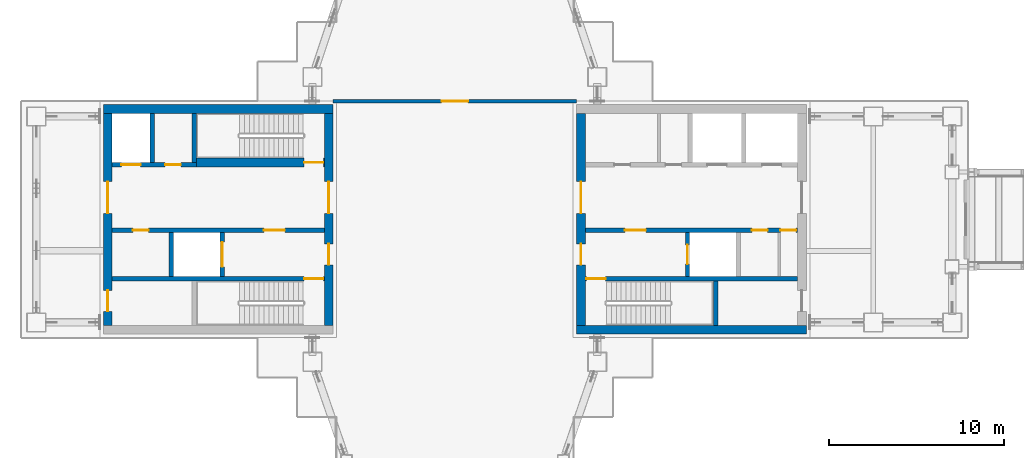
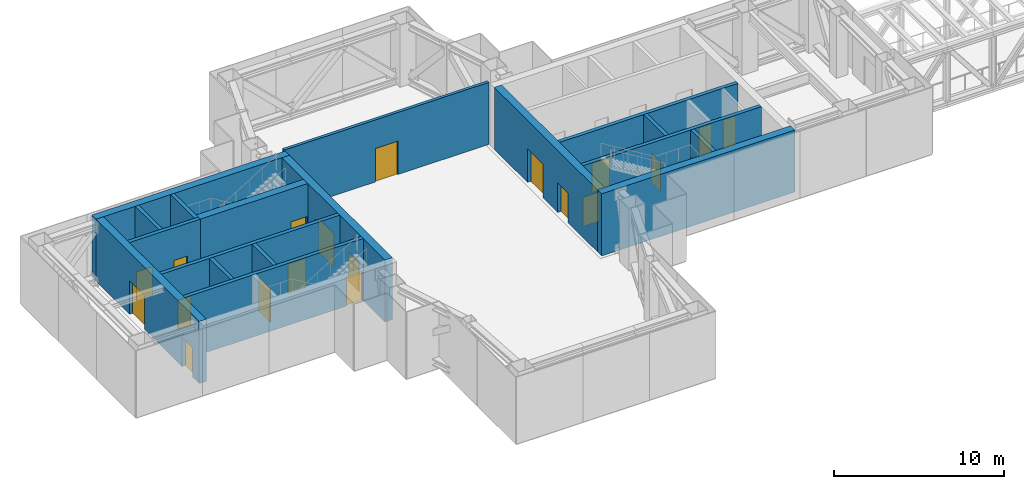
# One storey, part 10 of 21: 19 doors, 18 walls, 19 openings.
"""IFC4 building model written with IfcOpenShell, lengths in metres."""

from ifc_helpers import new_model, si_unit, direction, frame, frame_2d, origin, place, context, subcontext, project, spatial, rectangle, extrude, material, layer, layer_set, type_object, element, fill, save


model = new_model("IFC4")

# Units and contexts
model_context = context("Model", 3, precision=1e-05, world=origin(), true_north=direction((0.0, 1.0)))
body_context = subcontext(model_context, "Body", "Model", "MODEL_VIEW")
ifc_project = project(units=[si_unit("LENGTHUNIT", "METRE"), si_unit("AREAUNIT", "SQUARE_METRE"), si_unit("VOLUMEUNIT", "CUBIC_METRE"), si_unit("PLANEANGLEUNIT", "RADIAN"), si_unit("MASSUNIT", "GRAM", prefix="KILO")], contexts=[model_context])

# Site, building, storey
site_placement = place(None, origin())
site = spatial("IfcSite", under=ifc_project, at=site_placement, CompositionType="ELEMENT")
building_placement = place(site_placement, origin())
building = spatial("IfcBuilding", under=site, at=building_placement, Name="Shamsa Quay Exchange Towers", CompositionType="ELEMENT")
storey_placement = place(building_placement, frame((0.0, 0.0, 177.89990234375)))
storey = spatial("IfcBuildingStorey", under=building, at=storey_placement, Name="L42", CompositionType="ELEMENT", Elevation=177.89990234375)

# Wall
ifc_material_1 = material(Name="Concrete C60/75", Category="concrete")
ifc_layer_1 = layer(ifc_material_1, 0.5)
ifc_layer_set_1 = layer_set([ifc_layer_1], Name="CORE WALL 500 C60/75")
wall_type_1 = type_object("IfcWallType", Name="CORE WALL 500 C60/75", PredefinedType="SHEAR", material=ifc_layer_set_1)
wall_1_placement = place(storey_placement, frame((-26.800048828125, -6.300048828125, 0.0)))
element("IfcWall", 1, at=wall_1_placement, inside=storey, type_object=wall_type_1, Name="Core wall T1A-L42-PS", PredefinedType="SHEAR", context=body_context, shape_type="SweptSolid", body=[
    extrude(rectangle(XDim=13.10009765625, YDim=0.5, at=frame_2d((6.550048828125, 0.0))), origin(), (0.0, 0.0, 1.0), 4.4501953125),
])

# Wall, openings, doors
wall_2_placement = place(storey_placement, frame((-26.550048828125, 6.050048828125, 0.0), z_axis=(0.0, 0.0, 1.0), x_axis=(0.0, -1.0, 0.0)))
wall_2 = element("IfcWall", 2, at=wall_2_placement, inside=storey, type_object=wall_type_1, Name="Core wall T1A-L42-PF", PredefinedType="SHEAR", context=body_context, shape_type="SweptSolid", body=[
    extrude(rectangle(XDim=12.10009765625, YDim=0.5, at=frame_2d((6.050048828125, 0.0))), origin(), (0.0, 0.0, 1.0), 4.4501953125),
])
opening_1_placement = place(wall_2_placement, frame((7.449951171875, 0.0, 0.0)))
opening_1 = element("IfcOpeningElement", 3, at=opening_1_placement, cuts=wall_2, Name="Opening T1A-L42-FD01", PredefinedType="OPENING", context=body_context, shape_type="SweptSolid", body=[
    extrude(rectangle(XDim=1.199951171875, YDim=2.10009765625, at=frame_2d((0.60009765625, 1.050048828125))), frame((0.0, 0.260009765625, 0.0), z_axis=(0.0, -1.0, 0.0), x_axis=(1.0, 0.0, 0.0)), (0.0, 0.0, 1.0), 0.52001953125),
])
opening_2_placement = place(wall_2_placement, frame((3.89990234375, 0.0, 0.0)))
opening_2 = element("IfcOpeningElement", 4, at=opening_2_placement, cuts=wall_2, Name="Opening T1A-L42-LBD02", PredefinedType="OPENING", context=body_context, shape_type="SweptSolid", body=[
    extrude(rectangle(XDim=1.800048828125, YDim=2.39990234375, at=frame_2d((0.89990234375, 1.199951171875))), frame((0.0, 0.260009765625, 0.0), z_axis=(0.0, -1.0, 0.0), x_axis=(1.0, 0.0, 0.0)), (0.0, 0.0, 1.0), 0.52001953125),
])
ifc_material_2 = material(Name="Steel, fire rated", Category="steel")
door_type_1 = type_object("IfcDoorType", Name="FIRE SERVICE LOBBY DOOR 1200", OperationType="SINGLE_SWING_LEFT", PredefinedType="DOOR", material=ifc_material_2)
door_1_placement = place(opening_1_placement, origin())
door_1 = element("IfcDoor", 5, at=door_1_placement, inside=storey, type_object=door_type_1, Name="T1A-L42-FD01", OperationType="SINGLE_SWING_RIGHT", OverallHeight=2.10009765625, OverallWidth=1.199951171875, PredefinedType="DOOR", context=body_context, shape_type="SweptSolid", body=[
    extrude(rectangle(XDim=1.199951171875, YDim=2.10009765625, at=frame_2d((0.60009765625, 1.050048828125))), frame((0.0, 0.02490234375, 0.0), z_axis=(0.0, -1.0, 0.0), x_axis=(1.0, 0.0, 0.0)), (0.0, 0.0, 1.0), 0.050048828125),
])
fill(opening_1, door_1)
door_type_2 = type_object("IfcDoorType", Name="LIFT LOBBY DOOR PAIR 1800", OperationType="DOUBLE_DOOR_SINGLE_SWING", PredefinedType="DOOR", material=ifc_material_2)
door_2_placement = place(opening_2_placement, origin())
door_2 = element("IfcDoor", 6, at=door_2_placement, inside=storey, type_object=door_type_2, Name="T1A-L42-LBD02", OperationType="DOUBLE_DOOR_SINGLE_SWING", OverallHeight=2.39990234375, OverallWidth=1.800048828125, PredefinedType="DOOR", context=body_context, shape_type="SweptSolid", body=[
    extrude(rectangle(XDim=1.800048828125, YDim=2.39990234375, at=frame_2d((0.89990234375, 1.199951171875))), frame((0.0, 0.02490234375, 0.0), z_axis=(0.0, -1.0, 0.0), x_axis=(1.0, 0.0, 0.0)), (0.0, 0.0, 1.0), 0.050048828125),
])
fill(opening_2, door_2)

# Wall
wall_3_placement = place(storey_placement, frame((-40.699951171875, 6.300048828125, 0.0), z_axis=(0.0, 0.0, 1.0), x_axis=(-1.0, 0.0, 0.0)))
element("IfcWall", 7, at=wall_3_placement, inside=storey, type_object=wall_type_1, Name="Core wall T1B-L42-PN", PredefinedType="SHEAR", context=body_context, shape_type="SweptSolid", body=[
    extrude(rectangle(XDim=13.10009765625, YDim=0.5, at=frame_2d((6.550048828125, 0.0))), origin(), (0.0, 0.0, 1.0), 4.4501953125),
])

# Wall, openings, doors
wall_4_placement = place(storey_placement, frame((-40.949951171875, -6.050048828125, 0.0), z_axis=(0.0, 0.0, 1.0), x_axis=(0.0, 1.0, 0.0)))
wall_4 = element("IfcWall", 8, at=wall_4_placement, inside=storey, type_object=wall_type_1, Name="Core wall T1B-L42-PF", PredefinedType="SHEAR", context=body_context, shape_type="SweptSolid", body=[
    extrude(rectangle(XDim=12.10009765625, YDim=0.5, at=frame_2d((6.050048828125, 0.0))), origin(), (0.0, 0.0, 1.0), 4.4501953125),
])
opening_3_placement = place(wall_4_placement, frame((3.449951171875, 0.0, 0.0)))
opening_3 = element("IfcOpeningElement", 9, at=opening_3_placement, cuts=wall_4, Name="Opening T1B-L42-FD01", PredefinedType="OPENING", context=body_context, shape_type="SweptSolid", body=[
    extrude(rectangle(XDim=1.199951171875, YDim=2.10009765625, at=frame_2d((0.60009765625, 1.050048828125))), frame((0.0, 0.260009765625, 0.0), z_axis=(0.0, -1.0, 0.0), x_axis=(1.0, 0.0, 0.0)), (0.0, 0.0, 1.0), 0.52001953125),
])
opening_4_placement = place(wall_4_placement, frame((6.39990234375, 0.0, 0.0)))
opening_4 = element("IfcOpeningElement", 10, at=opening_4_placement, cuts=wall_4, Name="Opening T1B-L42-LBD02", PredefinedType="OPENING", context=body_context, shape_type="SweptSolid", body=[
    extrude(rectangle(XDim=1.800048828125, YDim=2.39990234375, at=frame_2d((0.89990234375, 1.199951171875))), frame((0.0, 0.260009765625, 0.0), z_axis=(0.0, -1.0, 0.0), x_axis=(1.0, 0.0, 0.0)), (0.0, 0.0, 1.0), 0.52001953125),
])
door_3_placement = place(opening_3_placement, origin())
door_3 = element("IfcDoor", 11, at=door_3_placement, inside=storey, type_object=door_type_1, Name="T1B-L42-FD01", OperationType="SINGLE_SWING_LEFT", OverallHeight=2.10009765625, OverallWidth=1.199951171875, PredefinedType="DOOR", context=body_context, shape_type="SweptSolid", body=[
    extrude(rectangle(XDim=1.199951171875, YDim=2.10009765625, at=frame_2d((0.60009765625, 1.050048828125))), frame((0.0, 0.02490234375, 0.0), z_axis=(0.0, -1.0, 0.0), x_axis=(1.0, 0.0, 0.0)), (0.0, 0.0, 1.0), 0.050048828125),
])
fill(opening_3, door_3)
door_4_placement = place(opening_4_placement, origin())
door_4 = element("IfcDoor", 12, at=door_4_placement, inside=storey, type_object=door_type_2, Name="T1B-L42-LBD02", OperationType="DOUBLE_DOOR_SINGLE_SWING", OverallHeight=2.39990234375, OverallWidth=1.800048828125, PredefinedType="DOOR", context=body_context, shape_type="SweptSolid", body=[
    extrude(rectangle(XDim=1.800048828125, YDim=2.39990234375, at=frame_2d((0.89990234375, 1.199951171875))), frame((0.0, 0.02490234375, 0.0), z_axis=(0.0, -1.0, 0.0), x_axis=(1.0, 0.0, 0.0)), (0.0, 0.0, 1.0), 0.050048828125),
])
fill(opening_4, door_4)

wall_5_placement = place(storey_placement, frame((-53.550048828125, -6.050048828125, 0.0), z_axis=(0.0, 0.0, 1.0), x_axis=(0.0, 1.0, 0.0)))
wall_5 = element("IfcWall", 13, at=wall_5_placement, inside=storey, type_object=wall_type_1, Name="Core wall T1B-L42-PB", PredefinedType="SHEAR", context=body_context, shape_type="SweptSolid", body=[
    extrude(rectangle(XDim=12.10009765625, YDim=0.5, at=frame_2d((6.050048828125, 0.0))), origin(), (0.0, 0.0, 1.0), 4.4501953125),
])
opening_5_placement = place(wall_5_placement, frame((0.800048828125, 0.0, 0.0)))
opening_5 = element("IfcOpeningElement", 14, at=opening_5_placement, cuts=wall_5, Name="Opening T1B-L42-RD03", PredefinedType="OPENING", context=body_context, shape_type="SweptSolid", body=[
    extrude(rectangle(XDim=1.199951171875, YDim=2.10009765625, at=frame_2d((0.60009765625, 1.050048828125))), frame((0.0, 0.260009765625, 0.0), z_axis=(0.0, -1.0, 0.0), x_axis=(1.0, 0.0, 0.0)), (0.0, 0.0, 1.0), 0.52001953125),
])
opening_6_placement = place(wall_5_placement, frame((6.39990234375, 0.0, 0.0)))
opening_6 = element("IfcOpeningElement", 15, at=opening_6_placement, cuts=wall_5, Name="Opening T1B-L42-LBD04", PredefinedType="OPENING", context=body_context, shape_type="SweptSolid", body=[
    extrude(rectangle(XDim=1.800048828125, YDim=2.39990234375, at=frame_2d((0.89990234375, 1.199951171875))), frame((0.0, 0.260009765625, 0.0), z_axis=(0.0, -1.0, 0.0), x_axis=(1.0, 0.0, 0.0)), (0.0, 0.0, 1.0), 0.52001953125),
])
door_5_placement = place(opening_6_placement, origin())
door_5 = element("IfcDoor", 16, at=door_5_placement, inside=storey, type_object=door_type_2, Name="T1B-L42-LBD04", OperationType="DOUBLE_DOOR_SINGLE_SWING", OverallHeight=2.39990234375, OverallWidth=1.800048828125, PredefinedType="DOOR", context=body_context, shape_type="SweptSolid", body=[
    extrude(rectangle(XDim=1.800048828125, YDim=2.39990234375, at=frame_2d((0.89990234375, 1.199951171875))), frame((0.0, 0.02490234375, 0.0), z_axis=(0.0, -1.0, 0.0), x_axis=(1.0, 0.0, 0.0)), (0.0, 0.0, 1.0), 0.050048828125),
])
fill(opening_6, door_5)
door_type_3 = type_object("IfcDoorType", Name="RISER ACCESS DOOR 1200", OperationType="SINGLE_SWING_LEFT", PredefinedType="DOOR", material=ifc_material_2)
door_6_placement = place(opening_5_placement, origin())
door_6 = element("IfcDoor", 17, at=door_6_placement, inside=storey, type_object=door_type_3, Name="T1B-L42-RD03", OperationType="SINGLE_SWING_LEFT", OverallHeight=2.10009765625, OverallWidth=1.199951171875, PredefinedType="DOOR", context=body_context, shape_type="SweptSolid", body=[
    extrude(rectangle(XDim=1.199951171875, YDim=2.10009765625, at=frame_2d((0.60009765625, 1.050048828125))), frame((0.0, 0.02490234375, 0.0), z_axis=(0.0, -1.0, 0.0), x_axis=(1.0, 0.0, 0.0)), (0.0, 0.0, 1.0), 0.050048828125),
])
fill(opening_5, door_6)

# Wall, opening, door
ifc_material_3 = material(Name="Gypsum board partition on metal studs")
ifc_layer_2 = layer(ifc_material_3, 0.199951171875)
ifc_layer_set_2 = layer_set([ifc_layer_2], Name="Partition 200 mm EI 120")
wall_type_2 = type_object("IfcWallType", Name="Partition 200 mm EI 120", PredefinedType="PARTITIONING", material=ifc_layer_set_2)
wall_6_placement = place(storey_placement, frame((-26.800048828125, 6.75, 0.0), z_axis=(0.0, 0.0, 1.0), x_axis=(-1.0, 0.0, 0.0)))
wall_6 = element("IfcWall", 18, at=wall_6_placement, inside=storey, type_object=wall_type_2, Name="Partition T1-L42-W01", PredefinedType="PARTITIONING", context=body_context, shape_type="SweptSolid", body=[
    extrude(rectangle(XDim=13.89990234375, YDim=0.199951171875, at=frame_2d((6.949951171875, 0.0))), origin(), (0.0, 0.0, 1.0), 4.4501953125),
])
opening_7_placement = place(wall_6_placement, frame((6.199951171875, 0.0, 0.0)))
opening_7 = element("IfcOpeningElement", 19, at=opening_7_placement, cuts=wall_6, Name="Opening T1-L42-D01", PredefinedType="OPENING", context=body_context, shape_type="SweptSolid", body=[
    extrude(rectangle(XDim=1.5, YDim=2.39990234375, at=frame_2d((0.75, 1.199951171875))), frame((0.0, 0.10986328125, 0.0), z_axis=(0.0, -1.0, 0.0), x_axis=(1.0, 0.0, 0.0)), (0.0, 0.0, 1.0), 0.219970703125),
])
ifc_material_4 = material(Name="Timber door leaf in a metal frame", Category="wood")
door_type_4 = type_object("IfcDoorType", Name="Door 1500x2400 FD60 pair", OperationType="NOTDEFINED", PredefinedType="DOOR", material=ifc_material_4)
door_7_placement = place(opening_7_placement, origin())
door_7 = element("IfcDoor", 20, at=door_7_placement, inside=storey, type_object=door_type_4, Name="Door T1-L42-D01", OperationType="DOUBLE_DOOR_SINGLE_SWING", OverallHeight=2.39990234375, OverallWidth=1.5, PredefinedType="DOOR", context=body_context, shape_type="SweptSolid", body=[
    extrude(rectangle(XDim=1.5, YDim=2.39990234375, at=frame_2d((0.75, 1.199951171875))), frame((0.0, 0.02490234375, 0.0), z_axis=(0.0, -1.0, 0.0), x_axis=(1.0, 0.0, 0.0)), (0.0, 0.0, 1.0), 0.050048828125),
])
fill(opening_7, door_7)

ifc_material_5 = material(Name="Concrete C50/60", Category="concrete")
ifc_layer_3 = layer(ifc_material_5, 0.25)
ifc_layer_set_3 = layer_set([ifc_layer_3], Name="SHAFT WALL 250 C50/60")
wall_type_3 = type_object("IfcWallType", Name="SHAFT WALL 250 C50/60", PredefinedType="SHEAR", material=ifc_layer_set_3)
wall_7_placement = place(storey_placement, frame((-14.199951171875, -3.375, 0.0), z_axis=(0.0, 0.0, 1.0), x_axis=(-1.0, 0.0, 0.0)))
wall_7 = element("IfcWall", 21, at=wall_7_placement, inside=storey, type_object=wall_type_3, Name="Shaft wall T1A-L42-STL", PredefinedType="SHEAR", context=body_context, shape_type="SweptSolid", body=[
    extrude(rectangle(XDim=12.10009765625, YDim=0.25, at=frame_2d((6.050048828125, 0.0))), origin(), (0.0, 0.0, 1.0), 4.4501953125),
])
opening_8_placement = place(wall_7_placement, frame((10.949951171875, 0.0, 0.0)))
opening_8 = element("IfcOpeningElement", 22, at=opening_8_placement, cuts=wall_7, Name="Opening T1A-L42-SD05", PredefinedType="OPENING", context=body_context, shape_type="SweptSolid", body=[
    extrude(rectangle(XDim=1.10009765625, YDim=2.10009765625, at=frame_2d((0.550048828125, 1.050048828125))), frame((0.0, 0.135009765625, 0.0), z_axis=(0.0, -1.0, 0.0), x_axis=(1.0, 0.0, 0.0)), (0.0, 0.0, 1.0), 0.27001953125),
])
door_type_5 = type_object("IfcDoorType", Name="STAIR DOOR 1100", OperationType="SINGLE_SWING_LEFT", PredefinedType="DOOR", material=ifc_material_2)
door_8_placement = place(opening_8_placement, origin())
door_8 = element("IfcDoor", 23, at=door_8_placement, inside=storey, type_object=door_type_5, Name="T1A-L42-SD05", OperationType="SINGLE_SWING_RIGHT", OverallHeight=2.10009765625, OverallWidth=1.10009765625, PredefinedType="DOOR", context=body_context, shape_type="SweptSolid", body=[
    extrude(rectangle(XDim=1.10009765625, YDim=2.10009765625, at=frame_2d((0.550048828125, 1.050048828125))), frame((0.0, 0.02490234375, 0.0), z_axis=(0.0, -1.0, 0.0), x_axis=(1.0, 0.0, 0.0)), (0.0, 0.0, 1.0), 0.050048828125),
])
fill(opening_8, door_8)

# Wall
wall_8_placement = place(storey_placement, frame((-18.875, -6.050048828125, 0.0), z_axis=(0.0, 0.0, 1.0), x_axis=(0.0, 1.0, 0.0)))
element("IfcWall", 24, at=wall_8_placement, inside=storey, type_object=wall_type_3, Name="Shaft wall T1A-L42-STF", PredefinedType="SHEAR", context=body_context, shape_type="SweptSolid", body=[
    extrude(rectangle(XDim=2.550048828125, YDim=0.25, at=frame_2d((1.27490234375, 0.0))), origin(), (0.0, 0.0, 1.0), 4.4501953125),
])

# Wall, openings, doors
wall_9_placement = place(storey_placement, frame((-14.199951171875, -0.625, 0.0), z_axis=(0.0, 0.0, 1.0), x_axis=(-1.0, 0.0, 0.0)))
wall_9 = element("IfcWall", 25, at=wall_9_placement, inside=storey, type_object=wall_type_3, Name="Shaft wall T1A-L42-B", PredefinedType="SHEAR", context=body_context, shape_type="SweptSolid", body=[
    extrude(rectangle(XDim=12.10009765625, YDim=0.25, at=frame_2d((6.050048828125, 0.0))), origin(), (0.0, 0.0, 1.0), 4.4501953125),
])
opening_9_placement = place(wall_9_placement, frame((8.64990234375, 0.0, 0.0)))
opening_9 = element("IfcOpeningElement", 26, at=opening_9_placement, cuts=wall_9, Name="Opening T1A-L42-FD06", PredefinedType="OPENING", context=body_context, shape_type="SweptSolid", body=[
    extrude(rectangle(XDim=1.199951171875, YDim=2.10009765625, at=frame_2d((0.60009765625, 1.050048828125))), frame((0.0, 0.135009765625, 0.0), z_axis=(0.0, -1.0, 0.0), x_axis=(1.0, 0.0, 0.0)), (0.0, 0.0, 1.0), 0.27001953125),
])
opening_10_placement = place(wall_9_placement, frame((1.699951171875, 0.0, 0.0)))
opening_10 = element("IfcOpeningElement", 27, at=opening_10_placement, cuts=wall_9, Name="Opening T1A-L42-SV07", PredefinedType="OPENING", context=body_context, shape_type="SweptSolid", body=[
    extrude(rectangle(XDim=0.89990234375, YDim=2.10009765625, at=frame_2d((0.449951171875, 1.050048828125))), frame((0.0, 0.135009765625, 0.0), z_axis=(0.0, -1.0, 0.0), x_axis=(1.0, 0.0, 0.0)), (0.0, 0.0, 1.0), 0.27001953125),
])
opening_11_placement = place(wall_9_placement, frame((0.074951171875, 0.0, 0.0)))
opening_11 = element("IfcOpeningElement", 28, at=opening_11_placement, cuts=wall_9, Name="Opening T1A-L42-SV08", PredefinedType="OPENING", context=body_context, shape_type="SweptSolid", body=[
    extrude(rectangle(XDim=0.89990234375, YDim=2.10009765625, at=frame_2d((0.449951171875, 1.050048828125))), frame((0.0, 0.135009765625, 0.0), z_axis=(0.0, -1.0, 0.0), x_axis=(1.0, 0.0, 0.0)), (0.0, 0.0, 1.0), 0.27001953125),
])
door_9_placement = place(opening_9_placement, origin())
door_9 = element("IfcDoor", 29, at=door_9_placement, inside=storey, type_object=door_type_1, Name="T1A-L42-FD06", OperationType="SINGLE_SWING_RIGHT", OverallHeight=2.10009765625, OverallWidth=1.199951171875, PredefinedType="DOOR", context=body_context, shape_type="SweptSolid", body=[
    extrude(rectangle(XDim=1.199951171875, YDim=2.10009765625, at=frame_2d((0.60009765625, 1.050048828125))), frame((0.0, 0.02490234375, 0.0), z_axis=(0.0, -1.0, 0.0), x_axis=(1.0, 0.0, 0.0)), (0.0, 0.0, 1.0), 0.050048828125),
])
fill(opening_9, door_9)
door_type_6 = type_object("IfcDoorType", Name="SERVICE ROOM DOOR 900", OperationType="SINGLE_SWING_LEFT", PredefinedType="DOOR", material=ifc_material_2)
door_10_placement = place(opening_10_placement, origin())
door_10 = element("IfcDoor", 30, at=door_10_placement, inside=storey, type_object=door_type_6, Name="T1A-L42-SV07", OperationType="SINGLE_SWING_LEFT", OverallHeight=2.10009765625, OverallWidth=0.89990234375, PredefinedType="DOOR", context=body_context, shape_type="SweptSolid", body=[
    extrude(rectangle(XDim=0.89990234375, YDim=2.10009765625, at=frame_2d((0.449951171875, 1.050048828125))), frame((0.0, 0.02490234375, 0.0), z_axis=(0.0, -1.0, 0.0), x_axis=(1.0, 0.0, 0.0)), (0.0, 0.0, 1.0), 0.050048828125),
])
fill(opening_10, door_10)
door_11_placement = place(opening_11_placement, origin())
door_11 = element("IfcDoor", 31, at=door_11_placement, inside=storey, type_object=door_type_6, Name="T1A-L42-SV08", OperationType="SINGLE_SWING_LEFT", OverallHeight=2.10009765625, OverallWidth=0.89990234375, PredefinedType="DOOR", context=body_context, shape_type="SweptSolid", body=[
    extrude(rectangle(XDim=0.89990234375, YDim=2.10009765625, at=frame_2d((0.449951171875, 1.050048828125))), frame((0.0, 0.02490234375, 0.0), z_axis=(0.0, -1.0, 0.0), x_axis=(1.0, 0.0, 0.0)), (0.0, 0.0, 1.0), 0.050048828125),
])
fill(opening_11, door_11)

# Wall, opening, door
wall_10_placement = place(storey_placement, frame((-20.47509765625, -3.25, 0.0), z_axis=(0.0, 0.0, 1.0), x_axis=(0.0, 1.0, 0.0)))
wall_10 = element("IfcWall", 32, at=wall_10_placement, inside=storey, type_object=wall_type_3, Name="Shaft wall T1A-L42-FFF", PredefinedType="SHEAR", context=body_context, shape_type="SweptSolid", body=[
    extrude(rectangle(XDim=2.5, YDim=0.25, at=frame_2d((1.25, 0.0))), origin(), (0.0, 0.0, 1.0), 4.4501953125),
])
opening_12_placement = place(wall_10_placement, frame((0.699951171875, 0.0, 0.0)))
opening_12 = element("IfcOpeningElement", 33, at=opening_12_placement, cuts=wall_10, Name="Opening T1A-L42-LDF09", PredefinedType="OPENING", context=body_context, shape_type="SweptSolid", body=[
    extrude(rectangle(XDim=1.10009765625, YDim=2.10009765625, at=frame_2d((0.550048828125, 1.050048828125))), frame((0.0, 0.135009765625, 0.0), z_axis=(0.0, -1.0, 0.0), x_axis=(1.0, 0.0, 0.0)), (0.0, 0.0, 1.0), 0.27001953125),
])
door_type_7 = type_object("IfcDoorType", Name="FIRE SERVICE LANDING DOOR 1100", OperationType="SLIDING_TO_LEFT", PredefinedType="DOOR", material=ifc_material_2)
door_12_placement = place(opening_12_placement, origin())
door_12 = element("IfcDoor", 34, at=door_12_placement, inside=storey, type_object=door_type_7, Name="T1A-L42-LDF09", OperationType="SLIDING_TO_LEFT", OverallHeight=2.10009765625, OverallWidth=1.10009765625, PredefinedType="DOOR", context=body_context, shape_type="SweptSolid", body=[
    extrude(rectangle(XDim=1.10009765625, YDim=2.10009765625, at=frame_2d((0.550048828125, 1.050048828125))), frame((0.0, 0.02490234375, 0.0), z_axis=(0.0, -1.0, 0.0), x_axis=(1.0, 0.0, 0.0)), (0.0, 0.0, 1.0), 0.050048828125),
])
fill(opening_12, door_12)

wall_11_placement = place(storey_placement, frame((-41.199951171875, -3.375, 0.0), z_axis=(0.0, 0.0, 1.0), x_axis=(-1.0, 0.0, 0.0)))
wall_11 = element("IfcWall", 35, at=wall_11_placement, inside=storey, type_object=wall_type_3, Name="Shaft wall T1B-L42-STL", PredefinedType="SHEAR", context=body_context, shape_type="SweptSolid", body=[
    extrude(rectangle(XDim=12.10009765625, YDim=0.25, at=frame_2d((6.050048828125, 0.0))), origin(), (0.0, 0.0, 1.0), 4.4501953125),
])
opening_13_placement = place(wall_11_placement, frame((0.050048828125, 0.0, 0.0)))
opening_13 = element("IfcOpeningElement", 36, at=opening_13_placement, cuts=wall_11, Name="Opening T1B-L42-SD05", PredefinedType="OPENING", context=body_context, shape_type="SweptSolid", body=[
    extrude(rectangle(XDim=1.10009765625, YDim=2.10009765625, at=frame_2d((0.550048828125, 1.050048828125))), frame((0.0, 0.135009765625, 0.0), z_axis=(0.0, -1.0, 0.0), x_axis=(1.0, 0.0, 0.0)), (0.0, 0.0, 1.0), 0.27001953125),
])
door_13_placement = place(opening_13_placement, origin())
door_13 = element("IfcDoor", 37, at=door_13_placement, inside=storey, type_object=door_type_5, Name="T1B-L42-SD05", OperationType="SINGLE_SWING_LEFT", OverallHeight=2.10009765625, OverallWidth=1.10009765625, PredefinedType="DOOR", context=body_context, shape_type="SweptSolid", body=[
    extrude(rectangle(XDim=1.10009765625, YDim=2.10009765625, at=frame_2d((0.550048828125, 1.050048828125))), frame((0.0, 0.02490234375, 0.0), z_axis=(0.0, -1.0, 0.0), x_axis=(1.0, 0.0, 0.0)), (0.0, 0.0, 1.0), 0.050048828125),
])
fill(opening_13, door_13)

# Wall, openings, doors
wall_12_placement = place(storey_placement, frame((-41.199951171875, -0.625, 0.0), z_axis=(0.0, 0.0, 1.0), x_axis=(-1.0, 0.0, 0.0)))
wall_12 = element("IfcWall", 38, at=wall_12_placement, inside=storey, type_object=wall_type_3, Name="Shaft wall T1B-L42-B", PredefinedType="SHEAR", context=body_context, shape_type="SweptSolid", body=[
    extrude(rectangle(XDim=12.10009765625, YDim=0.25, at=frame_2d((6.050048828125, 0.0))), origin(), (0.0, 0.0, 1.0), 4.4501953125),
])
opening_14_placement = place(wall_12_placement, frame((2.25, 0.0, 0.0)))
opening_14 = element("IfcOpeningElement", 39, at=opening_14_placement, cuts=wall_12, Name="Opening T1B-L42-FD06", PredefinedType="OPENING", context=body_context, shape_type="SweptSolid", body=[
    extrude(rectangle(XDim=1.199951171875, YDim=2.10009765625, at=frame_2d((0.60009765625, 1.050048828125))), frame((0.0, 0.135009765625, 0.0), z_axis=(0.0, -1.0, 0.0), x_axis=(1.0, 0.0, 0.0)), (0.0, 0.0, 1.0), 0.27001953125),
])
opening_15_placement = place(wall_12_placement, frame((10.02490234375, 0.0, 0.0)))
opening_15 = element("IfcOpeningElement", 40, at=opening_15_placement, cuts=wall_12, Name="Opening T1B-L42-SV07", PredefinedType="OPENING", context=body_context, shape_type="SweptSolid", body=[
    extrude(rectangle(XDim=0.89990234375, YDim=2.10009765625, at=frame_2d((0.449951171875, 1.050048828125))), frame((0.0, 0.135009765625, 0.0), z_axis=(0.0, -1.0, 0.0), x_axis=(1.0, 0.0, 0.0)), (0.0, 0.0, 1.0), 0.27001953125),
])
door_14_placement = place(opening_14_placement, origin())
door_14 = element("IfcDoor", 41, at=door_14_placement, inside=storey, type_object=door_type_1, Name="T1B-L42-FD06", OperationType="SINGLE_SWING_LEFT", OverallHeight=2.10009765625, OverallWidth=1.199951171875, PredefinedType="DOOR", context=body_context, shape_type="SweptSolid", body=[
    extrude(rectangle(XDim=1.199951171875, YDim=2.10009765625, at=frame_2d((0.60009765625, 1.050048828125))), frame((0.0, 0.02490234375, 0.0), z_axis=(0.0, -1.0, 0.0), x_axis=(1.0, 0.0, 0.0)), (0.0, 0.0, 1.0), 0.050048828125),
])
fill(opening_14, door_14)
door_15_placement = place(opening_15_placement, origin())
door_15 = element("IfcDoor", 42, at=door_15_placement, inside=storey, type_object=door_type_6, Name="T1B-L42-SV07", OperationType="SINGLE_SWING_RIGHT", OverallHeight=2.10009765625, OverallWidth=0.89990234375, PredefinedType="DOOR", context=body_context, shape_type="SweptSolid", body=[
    extrude(rectangle(XDim=0.89990234375, YDim=2.10009765625, at=frame_2d((0.449951171875, 1.050048828125))), frame((0.0, 0.02490234375, 0.0), z_axis=(0.0, -1.0, 0.0), x_axis=(1.0, 0.0, 0.0)), (0.0, 0.0, 1.0), 0.050048828125),
])
fill(opening_15, door_15)

# Wall, opening, door
wall_13_placement = place(storey_placement, frame((-47.02490234375, -3.25, 0.0), z_axis=(0.0, 0.0, 1.0), x_axis=(0.0, 1.0, 0.0)))
wall_13 = element("IfcWall", 43, at=wall_13_placement, inside=storey, type_object=wall_type_3, Name="Shaft wall T1B-L42-FFF", PredefinedType="SHEAR", context=body_context, shape_type="SweptSolid", body=[
    extrude(rectangle(XDim=2.5, YDim=0.25, at=frame_2d((1.25, 0.0))), origin(), (0.0, 0.0, 1.0), 4.4501953125),
])
opening_16_placement = place(wall_13_placement, frame((0.550048828125, 0.0, 0.0)))
opening_16 = element("IfcOpeningElement", 44, at=opening_16_placement, cuts=wall_13, Name="Opening T1B-L42-LDG08", PredefinedType="OPENING", context=body_context, shape_type="SweptSolid", body=[
    extrude(rectangle(XDim=1.39990234375, YDim=2.39990234375, at=frame_2d((0.699951171875, 1.199951171875))), frame((0.0, 0.135009765625, 0.0), z_axis=(0.0, -1.0, 0.0), x_axis=(1.0, 0.0, 0.0)), (0.0, 0.0, 1.0), 0.27001953125),
])
door_type_8 = type_object("IfcDoorType", Name="GOODS LIFT LANDING DOOR 1400", OperationType="SLIDING_TO_LEFT", PredefinedType="DOOR", material=ifc_material_2)
door_16_placement = place(opening_16_placement, origin())
door_16 = element("IfcDoor", 45, at=door_16_placement, inside=storey, type_object=door_type_8, Name="T1B-L42-LDG08", OperationType="SLIDING_TO_LEFT", OverallHeight=2.39990234375, OverallWidth=1.39990234375, PredefinedType="DOOR", context=body_context, shape_type="SweptSolid", body=[
    extrude(rectangle(XDim=1.39990234375, YDim=2.39990234375, at=frame_2d((0.699951171875, 1.199951171875))), frame((0.0, 0.02490234375, 0.0), z_axis=(0.0, -1.0, 0.0), x_axis=(1.0, 0.0, 0.0)), (0.0, 0.0, 1.0), 0.050048828125),
])
fill(opening_16, door_16)

# Wall
wall_14_placement = place(storey_placement, frame((-49.925048828125, -3.25, 0.0), z_axis=(0.0, 0.0, 1.0), x_axis=(0.0, 1.0, 0.0)))
element("IfcWall", 46, at=wall_14_placement, inside=storey, type_object=wall_type_3, Name="Shaft wall T1B-L42-FFB", PredefinedType="SHEAR", context=body_context, shape_type="SweptSolid", body=[
    extrude(rectangle(XDim=2.5, YDim=0.25, at=frame_2d((1.25, 0.0))), origin(), (0.0, 0.0, 1.0), 4.4501953125),
])

# Wall, openings, doors
wall_15_placement = place(storey_placement, frame((-53.300048828125, 3.125, 0.0)))
wall_15 = element("IfcWall", 47, at=wall_15_placement, inside=storey, type_object=wall_type_3, Name="Shaft wall T1B-L42-N2", PredefinedType="SHEAR", context=body_context, shape_type="SweptSolid", body=[
    extrude(rectangle(XDim=4.800048828125, YDim=0.25, at=frame_2d((2.39990234375, 0.0))), origin(), (0.0, 0.0, 1.0), 4.4501953125),
])
opening_17_placement = place(wall_15_placement, frame((0.52490234375, 0.0, 0.0)))
opening_17 = element("IfcOpeningElement", 48, at=opening_17_placement, cuts=wall_15, Name="Opening T1B-L42-LD10", PredefinedType="OPENING", context=body_context, shape_type="SweptSolid", body=[
    extrude(rectangle(XDim=1.10009765625, YDim=2.10009765625, at=frame_2d((0.550048828125, 1.050048828125))), frame((0.0, 0.135009765625, 0.0), z_axis=(0.0, -1.0, 0.0), x_axis=(1.0, 0.0, 0.0)), (0.0, 0.0, 1.0), 0.27001953125),
])
opening_18_placement = place(wall_15_placement, frame((3.02490234375, 0.0, 0.0)))
opening_18 = element("IfcOpeningElement", 49, at=opening_18_placement, cuts=wall_15, Name="Opening T1B-L42-SV11", PredefinedType="OPENING", context=body_context, shape_type="SweptSolid", body=[
    extrude(rectangle(XDim=0.89990234375, YDim=2.10009765625, at=frame_2d((0.449951171875, 1.050048828125))), frame((0.0, 0.135009765625, 0.0), z_axis=(0.0, -1.0, 0.0), x_axis=(1.0, 0.0, 0.0)), (0.0, 0.0, 1.0), 0.27001953125),
])
door_type_9 = type_object("IfcDoorType", Name="LANDING DOOR 1100", OperationType="SLIDING_TO_LEFT", PredefinedType="DOOR", material=ifc_material_2)
door_17_placement = place(opening_17_placement, origin())
door_17 = element("IfcDoor", 50, at=door_17_placement, inside=storey, type_object=door_type_9, Name="T1B-L42-LD10", OperationType="SLIDING_TO_LEFT", OverallHeight=2.10009765625, OverallWidth=1.10009765625, PredefinedType="DOOR", context=body_context, shape_type="SweptSolid", body=[
    extrude(rectangle(XDim=1.10009765625, YDim=2.10009765625, at=frame_2d((0.550048828125, 1.050048828125))), frame((0.0, 0.02490234375, 0.0), z_axis=(0.0, -1.0, 0.0), x_axis=(1.0, 0.0, 0.0)), (0.0, 0.0, 1.0), 0.050048828125),
])
fill(opening_17, door_17)
door_18_placement = place(opening_18_placement, origin())
door_18 = element("IfcDoor", 51, at=door_18_placement, inside=storey, type_object=door_type_6, Name="T1B-L42-SV11", OperationType="SINGLE_SWING_RIGHT", OverallHeight=2.10009765625, OverallWidth=0.89990234375, PredefinedType="DOOR", context=body_context, shape_type="SweptSolid", body=[
    extrude(rectangle(XDim=0.89990234375, YDim=2.10009765625, at=frame_2d((0.449951171875, 1.050048828125))), frame((0.0, 0.02490234375, 0.0), z_axis=(0.0, -1.0, 0.0), x_axis=(1.0, 0.0, 0.0)), (0.0, 0.0, 1.0), 0.050048828125),
])
fill(opening_18, door_18)

# Walls
for number, where, z_axis, x_axis, name in (
    (52, (-48.625, 3.25, 0.0), (0.0, 0.0, 1.0), (0.0, 1.0, 0.0), "Shaft wall T1B-L42-STF2"),
    (53, (-51.02490234375, 3.25, 0.0), (0.0, 0.0, 1.0), (0.0, 1.0, 0.0), "Shaft wall T1B-L42-D0"),
):
    element("IfcWall", number, at=place(storey_placement, frame(where, z_axis=z_axis, x_axis=x_axis)), inside=storey, type_object=wall_type_3, Name=name, PredefinedType="SHEAR", context=body_context, shape_type="SweptSolid", body=[
        extrude(rectangle(XDim=2.800048828125, YDim=0.25, at=frame_2d((1.39990234375, 0.0))), origin(), (0.0, 0.0, 1.0), 4.4501953125),
    ])

# Wall, opening, door
ifc_layer_4 = layer(ifc_material_5, 0.5)
ifc_layer_set_4 = layer_set([ifc_layer_4], Name="SHAFT WALL 500 C50/60")
wall_type_4 = type_object("IfcWallType", Name="SHAFT WALL 500 C50/60", PredefinedType="SHEAR", material=ifc_layer_set_4)
wall_16_placement = place(storey_placement, frame((-48.5, 3.25, 0.0)))
wall_16 = element("IfcWall", 54, at=wall_16_placement, inside=storey, type_object=wall_type_4, Name="Shaft wall T1B-L42-N", PredefinedType="SHEAR", context=body_context, shape_type="SweptSolid", body=[
    extrude(rectangle(XDim=7.300048828125, YDim=0.5, at=frame_2d((3.64990234375, 0.0))), origin(), (0.0, 0.0, 1.0), 4.4501953125),
])
opening_19_placement = place(wall_16_placement, frame((6.14990234375, 0.0, 0.0)))
opening_19 = element("IfcOpeningElement", 55, at=opening_19_placement, cuts=wall_16, Name="Opening T1B-L42-SD09", PredefinedType="OPENING", context=body_context, shape_type="SweptSolid", body=[
    extrude(rectangle(XDim=1.10009765625, YDim=2.10009765625, at=frame_2d((0.550048828125, 1.050048828125))), frame((0.0, 0.260009765625, 0.0), z_axis=(0.0, -1.0, 0.0), x_axis=(1.0, 0.0, 0.0)), (0.0, 0.0, 1.0), 0.52001953125),
])
door_19_placement = place(opening_19_placement, origin())
door_19 = element("IfcDoor", 56, at=door_19_placement, inside=storey, type_object=door_type_5, Name="T1B-L42-SD09", OperationType="SINGLE_SWING_RIGHT", OverallHeight=2.10009765625, OverallWidth=1.10009765625, PredefinedType="DOOR", context=body_context, shape_type="SweptSolid", body=[
    extrude(rectangle(XDim=1.10009765625, YDim=2.10009765625, at=frame_2d((0.550048828125, 1.050048828125))), frame((0.0, 0.02490234375, 0.0), z_axis=(0.0, -1.0, 0.0), x_axis=(1.0, 0.0, 0.0)), (0.0, 0.0, 1.0), 0.050048828125),
])
fill(opening_19, door_19)

save(model, "model.ifc")
